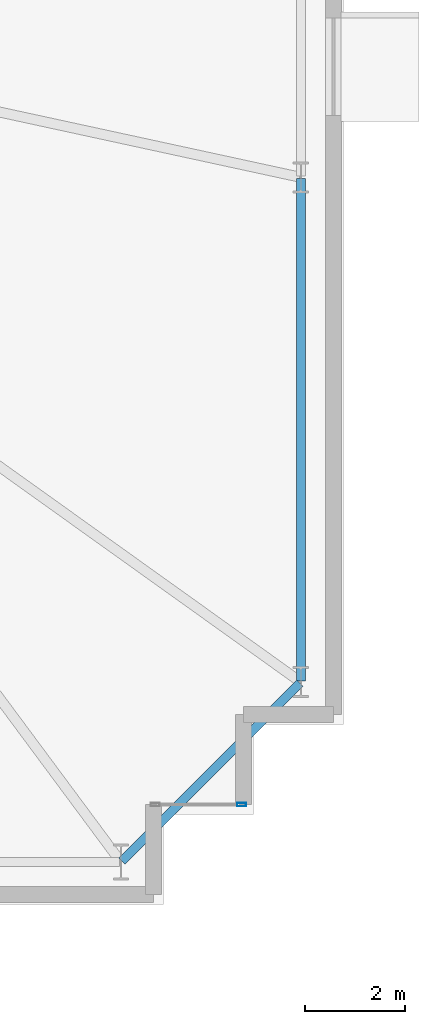
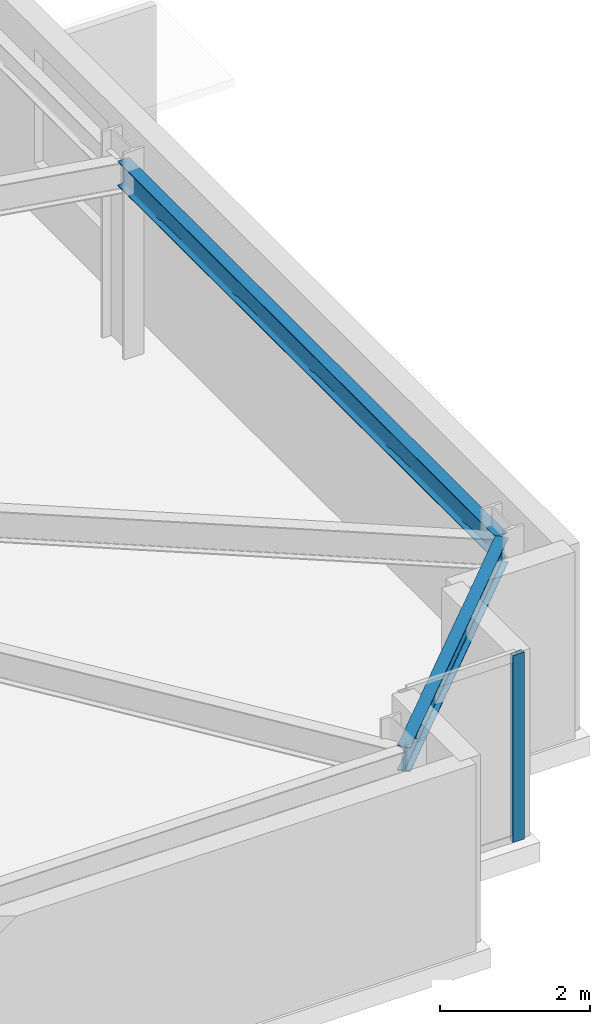
# One storey, part 14 of 26: 2 beams, 1 member, 1 element without a shape of its own.
"""IFC4 building model written with IfcOpenShell, lengths in metres."""

from ifc_helpers import new_model, si_unit, direction, frame, origin, origin_2d, place, context, subcontext, project, spatial, hollow_rectangle, i_section, extrude, material, layer, layer_set, material_profile, profile_set, type_object, element, aggregate, save


model = new_model("IFC4")

# Units and contexts
model_context = context("Model", 3, precision=1e-05, world=origin(), true_north=direction((0.0, 1.0)))
body_context = subcontext(model_context, "Body", "Model", "MODEL_VIEW")
ifc_project = project(units=[si_unit("LENGTHUNIT", "METRE"), si_unit("AREAUNIT", "SQUARE_METRE"), si_unit("VOLUMEUNIT", "CUBIC_METRE"), si_unit("PLANEANGLEUNIT", "RADIAN"), si_unit("MASSUNIT", "GRAM", prefix="KILO")], contexts=[model_context])

# Site, building, storey
site_placement = place(None, origin())
site = spatial("IfcSite", under=ifc_project, at=site_placement, CompositionType="ELEMENT")
building_placement = place(site_placement, origin())
building = spatial("IfcBuilding", under=site, at=building_placement, Name="Qobustan Lattice House", CompositionType="ELEMENT")
storey_placement = place(building_placement, frame((0.0, 0.0, 47.10009765625)))
storey = spatial("IfcBuildingStorey", under=building, at=storey_placement, Name="L12", CompositionType="ELEMENT", Elevation=47.10009765625)

# Beams
ifc_material_1 = material(Name="Steel S355", Category="steel")
ifc_material_profile_1 = material_profile(ifc_material_1, i_section(OverallWidth=0.179931640625, OverallDepth=0.39990234375, WebThickness=0.008544921875, FlangeThickness=0.013427734375, FilletRadius=0.02099609375, at=origin_2d()), Name="IPE400")
ifc_profile_set_1 = profile_set([ifc_material_profile_1], Name="Steel S355")
beam_type = type_object("IfcBeamType", Name="BM-SPD-IPE400", PredefinedType="SPANDREL", material=ifc_profile_set_1)
beam_1_placement = place(storey_placement, frame((28.567626953125, -18.732421875, 2.8349609375), z_axis=(0.707106781187, 0.707106781187, 0.0), x_axis=(-0.707106781187, 0.707106781187, 0.0)))
element("IfcBeam", 1, at=beam_1_placement, inside=storey, type_object=beam_type, Name="L12 perimeter spandrel S7-E1", PredefinedType="SPANDREL", context=body_context, shape_type="SweptSolid", body=[
    extrude(i_section(OverallWidth=0.179931640625, OverallDepth=0.39990234375, WebThickness=0.008544921875, FlangeThickness=0.013427734375, FilletRadius=0.02099609375, at=origin_2d()), origin(), (0.0, 0.0, 1.0), 5.041259765625),
])
beam_2_placement = place(storey_placement, frame((32.14990234375, -15.125, 2.8349609375), z_axis=(0.0, 1.0, 0.0), x_axis=(-1.0, 0.0, 0.0)))
element("IfcBeam", 2, at=beam_2_placement, inside=storey, type_object=beam_type, Name="L12 perimeter spandrel E1-E2", PredefinedType="SPANDREL", context=body_context, shape_type="SweptSolid", body=[
    extrude(i_section(OverallWidth=0.179931640625, OverallDepth=0.39990234375, WebThickness=0.008544921875, FlangeThickness=0.013427734375, FilletRadius=0.02099609375, at=origin_2d()), origin(), (0.0, 0.0, 1.0), 10.050048828125),
])

# Curtain wall, member
ifc_material_2 = material(Name="Anodised aluminium and low-E glazing", Category="aluminium")
ifc_layer = layer(ifc_material_2, 0.219970703125)
ifc_layer_set = layer_set([ifc_layer], Name="Anodised aluminium and low-E glazing")
curtain_wall_type = type_object("IfcCurtainWallType", Name="CW-FAC-01", PredefinedType="USERDEFINED", material=ifc_layer_set)
curtain_wall_placement = place(storey_placement, origin())
curtain_wall = element("IfcCurtainWall", 3, at=curtain_wall_placement, inside=storey, type_object=curtain_wall_type, Name="L12 serrated corner faceted glazing 18", ObjectType="CURTAIN WALL", PredefinedType="USERDEFINED")
ifc_material_3 = material(Name="Anodised aluminium EN AW-6063 T6", Category="aluminium")
ifc_material_profile_2 = material_profile(ifc_material_3, hollow_rectangle(XDim=0.070068359375, YDim=0.179931640625, WallThickness=0.00439453125, at=origin_2d()), Name="CWM-180x70")
ifc_profile_set_2 = profile_set([ifc_material_profile_2], Name="Anodised aluminium EN AW-6063 T6")
member_type = type_object("IfcMemberType", Name="CWM-STD-180", PredefinedType="MULLION", material=ifc_profile_set_2)
member_placement = place(storey_placement, frame((30.965087890625, -17.60009765625, 0.0), z_axis=(0.0, 0.0, 1.0), x_axis=(0.0, -1.0, 0.0)))
member = element("IfcMember", 4, at=member_placement, type_object=member_type, Name="CW-F1 mullion 1", PredefinedType="MULLION", context=body_context, shape_type="SweptSolid", body=[
    extrude(hollow_rectangle(XDim=0.070068359375, YDim=0.179931640625, WallThickness=0.00439453125, at=origin_2d()), origin(), (0.0, 0.0, 1.0), 3.034912109375),
])
aggregate(curtain_wall, [member])

save(model, "model.ifc")
